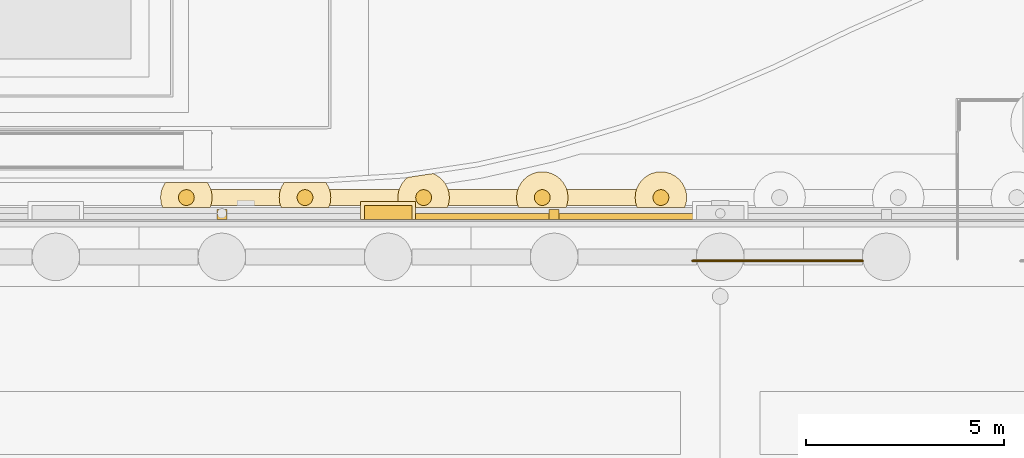
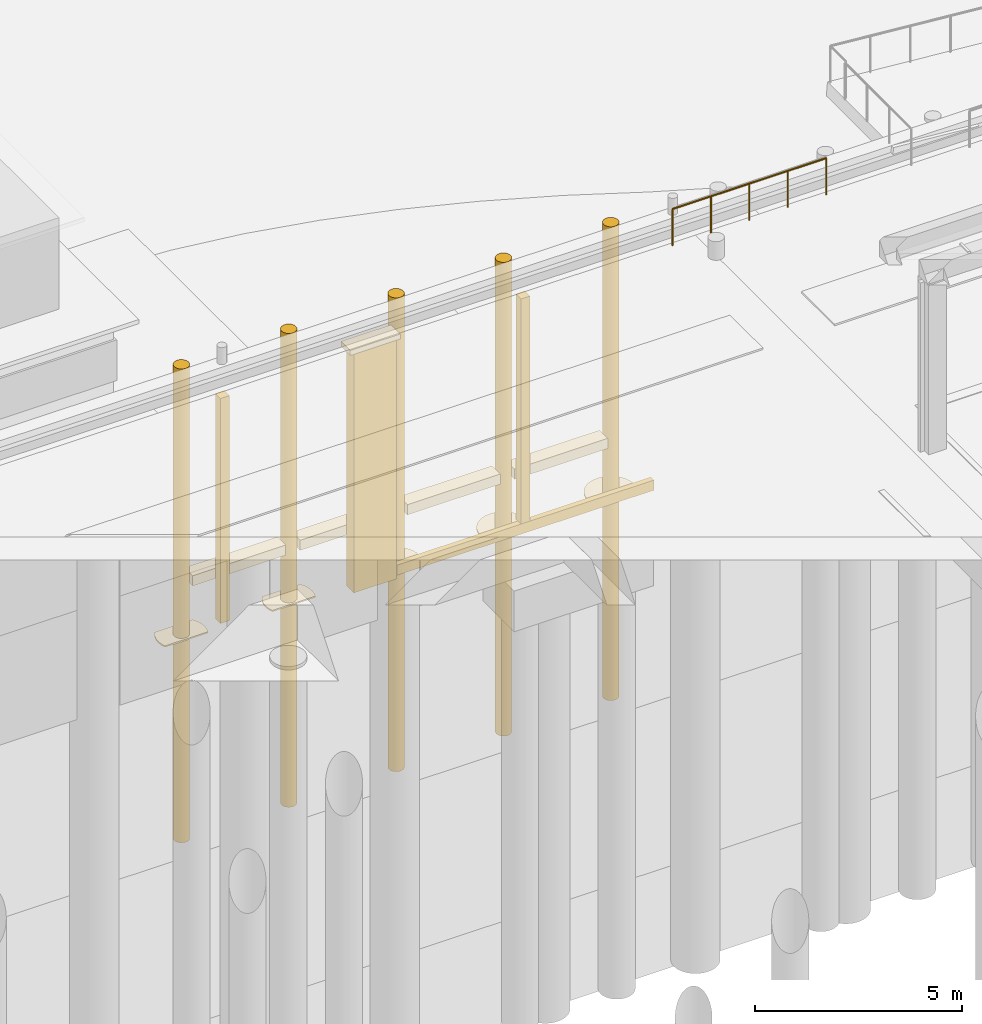
# One storey, part 198 of 222: 19 coverings, 1 railing.
"""IFC4 building model written with IfcOpenShell, lengths in metres."""

from ifc_helpers import new_model, si_unit, direction, frame, origin, origin_2d, place, context, subcontext, project, spatial, polyline, circle, outline, extrude, material, layer, layer_set, type_object, element, save


model = new_model("IFC4")

# Units and contexts
model_context = context("Model", 3, precision=1e-05, world=origin(), true_north=direction((0.0, 1.0)))
body_context = subcontext(model_context, "Body", "Model", "MODEL_VIEW")
ifc_project = project(units=[si_unit("LENGTHUNIT", "METRE"), si_unit("AREAUNIT", "SQUARE_METRE"), si_unit("VOLUMEUNIT", "CUBIC_METRE"), si_unit("PLANEANGLEUNIT", "RADIAN"), si_unit("MASSUNIT", "GRAM", prefix="KILO")], contexts=[model_context])

# Site, building, storey
site_placement = place(None, origin())
site = spatial("IfcSite", under=ifc_project, at=site_placement, CompositionType="ELEMENT")
building_placement = place(site_placement, origin())
building = spatial("IfcBuilding", under=site, at=building_placement, Name="Sava Quay Ferry Terminal", CompositionType="ELEMENT")
storey_placement = place(building_placement, origin())
storey = spatial("IfcBuildingStorey", under=building, at=storey_placement, Name="L00", CompositionType="ELEMENT", Elevation=0.0)

# Railing
ifc_material_1 = material(Name="Steel S355", Category="steel")
railing_type = type_object("IfcRailingType", Name="Edge guard 1100", PredefinedType="GUARDRAIL", material=ifc_material_1)
railing_placement = place(storey_placement, frame((125.300048828125, 117.5, 0.0)))
element("IfcRailing", 1, at=railing_placement, inside=storey, type_object=railing_type, Name="Quay edge guard", PredefinedType="GUARDRAIL", context=body_context, shape_type="SweptSolid", body=[
    extrude(circle(Radius=0.02392578125, at=origin_2d()), frame((0.0, 0.0, 1.076171875), z_axis=(1.0, 0.0, 0.0), x_axis=(0.0, 1.0, 0.0)), (0.0, 0.0, 1.0), 4.300048828125),
    extrude(circle(Radius=0.02099609375, at=origin_2d()), origin(), (0.0, 0.0, 1.0), 1.052001953125),
    extrude(circle(Radius=0.02099609375, at=origin_2d()), frame((1.074951171875, 0.0, 0.0)), (0.0, 0.0, 1.0), 1.052001953125),
    extrude(circle(Radius=0.02099609375, at=origin_2d()), frame((2.14990234375, 0.0, 0.0)), (0.0, 0.0, 1.0), 1.052001953125),
    extrude(circle(Radius=0.02099609375, at=origin_2d()), frame((3.22509765625, 0.0, 0.0)), (0.0, 0.0, 1.0), 1.052001953125),
    extrude(circle(Radius=0.02099609375, at=origin_2d()), frame((4.300048828125, 0.0, 0.0)), (0.0, 0.0, 1.0), 1.052001953125),
])

# Coverings
ifc_material_2 = material(Name="Greenheart timber", Category="wood")
ifc_layer_1 = layer(ifc_material_2, 0.25)
ifc_layer_set_1 = layer_set([ifc_layer_1], Name="Greenheart timber")
covering_type_1 = type_object("IfcCoveringType", Name="Fender post 250", PredefinedType="CLADDING", material=ifc_layer_set_1)
covering_1_placement = place(storey_placement, frame((0.0, 0.0, -7.60009765625)))
element("IfcCovering", 2, at=covering_1_placement, inside=storey, type_object=covering_type_1, Name="Fender post", PredefinedType="CLADDING", context=body_context, shape_type="SweptSolid", body=[
    extrude(outline(polyline([(113.52490234375, 118.550048828125), (113.52490234375, 118.800048828125), (113.27490234375, 118.800048828125), (113.27490234375, 118.550048828125), (113.52490234375, 118.550048828125)])), origin(), (0.0, 0.0, 1.0), 6.650146484375),
])
covering_2_placement = place(storey_placement, frame((0.0, 0.0, -7.60009765625)))
element("IfcCovering", 3, at=covering_2_placement, inside=storey, type_object=covering_type_1, Name="Fender post", PredefinedType="CLADDING", context=body_context, shape_type="SweptSolid", body=[
    extrude(outline(polyline([(121.925048828125, 118.550048828125), (121.925048828125, 118.800048828125), (121.675048828125, 118.800048828125), (121.675048828125, 118.550048828125), (121.925048828125, 118.550048828125)])), origin(), (0.0, 0.0, 1.0), 6.650146484375),
])
ifc_material_3 = material(Name="Greenheart timber", Category="wood")
ifc_layer_2 = layer(ifc_material_3, 0.14990234375)
ifc_layer_set_2 = layer_set([ifc_layer_2], Name="Greenheart timber")
covering_type_2 = type_object("IfcCoveringType", Name="Fender rubbing strip 150", PredefinedType="CLADDING", material=ifc_layer_set_2)
covering_3_placement = place(storey_placement, frame((0.0, 0.0, -7.89990234375)))
element("IfcCovering", 4, at=covering_3_placement, inside=storey, type_object=covering_type_2, Name="Fender rubbing strip", PredefinedType="CLADDING", context=body_context, shape_type="SweptSolid", body=[
    extrude(outline(polyline([(118.2099609375, 118.550048828125), (125.389892578125, 118.550048828125), (125.389892578125, 118.699951171875), (118.2099609375, 118.699951171875), (118.2099609375, 118.550048828125)])), origin(), (0.0, 0.0, 1.0), 0.2998046875),
])
ifc_material_4 = material(Name="Timber", Category="wood")
ifc_layer_3 = layer(ifc_material_4, 0.39990234375)
ifc_layer_set_3 = layer_set([ifc_layer_3], Name="Timber")
covering_type_3 = type_object("IfcCoveringType", Name="Quay fender pile 400", PredefinedType="CLADDING", material=ifc_layer_set_3)
for number, where, z_axis, x_axis, name in (
    (5, (112.5, 119.10009765625, 0.0), (0.0, 0.0, -1.0), (1.0, 0.0, 0.0), "Quay fender pile"),
    (6, (115.5, 119.10009765625, 0.0), (0.0, 0.0, -1.0), (1.0, 0.0, 0.0), "Quay fender pile"),
    (7, (118.5, 119.10009765625, 0.0), (0.0, 0.0, -1.0), (1.0, 0.0, 0.0), "Quay fender pile"),
    (8, (121.5, 119.10009765625, 0.0), (0.0, 0.0, -1.0), (1.0, 0.0, 0.0), "Quay fender pile"),
    (9, (124.5, 119.10009765625, 0.0), (0.0, 0.0, -1.0), (1.0, 0.0, 0.0), "Quay fender pile"),
):
    element("IfcCovering", number, at=place(storey_placement, frame(where, z_axis=z_axis, x_axis=x_axis)), inside=storey, type_object=covering_type_3, Name=name, PredefinedType="CLADDING", context=body_context, shape_type="SweptSolid", body=[
        extrude(circle(Radius=0.199951171875, at=origin_2d()), origin(), (0.0, 0.0, 1.0), 14.0),
    ])
ifc_material_5 = material(Name="Timber", Category="wood")
ifc_layer_4 = layer(ifc_material_5, 0.39990234375)
ifc_layer_set_4 = layer_set([ifc_layer_4], Name="Timber")
covering_type_4 = type_object("IfcCoveringType", Name="Quay fender waling", PredefinedType="MOLDING", material=ifc_layer_set_4)
covering_4_placement = place(storey_placement, frame((0.0, 0.0, -6.5)))
element("IfcCovering", 10, at=covering_4_placement, inside=storey, type_object=covering_type_4, Name="Quay fender waling", PredefinedType="MOLDING", context=body_context, shape_type="SweptSolid", body=[
    extrude(outline(polyline([(115.300048828125, 118.89990234375), (115.300048828125, 119.300048828125), (112.699951171875, 119.300048828125), (112.699951171875, 118.89990234375), (115.300048828125, 118.89990234375)])), origin(), (0.0, 0.0, 1.0), 0.300048828125),
])
covering_5_placement = place(storey_placement, frame((0.0, 0.0, -6.5)))
element("IfcCovering", 11, at=covering_5_placement, inside=storey, type_object=covering_type_4, Name="Quay fender waling", PredefinedType="MOLDING", context=body_context, shape_type="SweptSolid", body=[
    extrude(outline(polyline([(118.300048828125, 118.89990234375), (118.300048828125, 119.300048828125), (115.699951171875, 119.300048828125), (115.699951171875, 118.89990234375), (118.300048828125, 118.89990234375)])), origin(), (0.0, 0.0, 1.0), 0.300048828125),
])
covering_6_placement = place(storey_placement, frame((0.0, 0.0, -6.5)))
element("IfcCovering", 12, at=covering_6_placement, inside=storey, type_object=covering_type_4, Name="Quay fender waling", PredefinedType="MOLDING", context=body_context, shape_type="SweptSolid", body=[
    extrude(outline(polyline([(121.300048828125, 118.89990234375), (121.300048828125, 119.300048828125), (118.699951171875, 119.300048828125), (118.699951171875, 118.89990234375), (121.300048828125, 118.89990234375)])), origin(), (0.0, 0.0, 1.0), 0.300048828125),
])
covering_7_placement = place(storey_placement, frame((0.0, 0.0, -6.5)))
element("IfcCovering", 13, at=covering_7_placement, inside=storey, type_object=covering_type_4, Name="Quay fender waling", PredefinedType="MOLDING", context=body_context, shape_type="SweptSolid", body=[
    extrude(outline(polyline([(124.300048828125, 118.89990234375), (124.300048828125, 119.300048828125), (121.699951171875, 119.300048828125), (121.699951171875, 118.89990234375), (124.300048828125, 118.89990234375)])), origin(), (0.0, 0.0, 1.0), 0.300048828125),
])
ifc_material_6 = material(Name="Limestone Mutalj", Category="masonry")
ifc_layer_5 = layer(ifc_material_6, 0.449951171875)
ifc_layer_set_5 = layer_set([ifc_layer_5], Name="Limestone Mutalj")
covering_type_5 = type_object("IfcCoveringType", Name="Quay pilaster cap 1400", PredefinedType="MOLDING", material=ifc_layer_set_5)
covering_8_placement = place(storey_placement, frame((0.0, 0.0, -0.949951171875)))
element("IfcCovering", 14, at=covering_8_placement, inside=storey, type_object=covering_type_5, Name="Quay pilaster cap", PredefinedType="MOLDING", context=body_context, shape_type="SweptSolid", body=[
    extrude(outline(polyline([(118.300048828125, 118.550048828125), (118.300048828125, 119.0), (116.89990234375, 119.0), (116.89990234375, 118.550048828125), (118.300048828125, 118.550048828125)])), origin(), (0.0, 0.0, 1.0), 0.14990234375),
])
ifc_material_7 = material(Name="Limestone Mutalj", Category="masonry")
ifc_layer_6 = layer(ifc_material_7, 0.35009765625)
ifc_layer_set_6 = layer_set([ifc_layer_6], Name="Limestone Mutalj")
covering_type_6 = type_object("IfcCoveringType", Name="Quay wall pilaster 1200", PredefinedType="CLADDING", material=ifc_layer_set_6)
covering_9_placement = place(storey_placement, frame((0.0, 0.0, -8.0)))
element("IfcCovering", 15, at=covering_9_placement, inside=storey, type_object=covering_type_6, Name="Quay wall pilaster", PredefinedType="CLADDING", context=body_context, shape_type="SweptSolid", body=[
    extrude(outline(polyline([(118.199951171875, 118.550048828125), (118.199951171875, 118.89990234375), (117.0, 118.89990234375), (117.0, 118.550048828125), (118.199951171875, 118.550048828125)])), origin(), (0.0, 0.0, 1.0), 7.050048828125),
])
ifc_material_8 = material(Name="Water")
ifc_layer_7 = layer(ifc_material_8, 0.0400390625)
ifc_layer_set_7 = layer_set([ifc_layer_7], Name="Water")
covering_type_7 = type_object("IfcCoveringType", Name="River foam collar", PredefinedType="CLADDING", material=ifc_layer_set_7)
covering_10_placement = place(storey_placement, frame((0.0, 0.0, -8.0)))
element("IfcCovering", 16, at=covering_10_placement, inside=storey, type_object=covering_type_7, Name="River foam collar", PredefinedType="CLADDING", context=body_context, shape_type="SweptSolid", body=[
    extrude(outline(polyline([(113.10302734375, 119.35009765625), (113.0419921875, 119.4619140625), (113.028076171875, 119.47998046875), (111.971923828125, 119.47998046875), (111.9580078125, 119.4619140625), (111.89697265625, 119.35009765625), (111.860107421875, 119.22705078125), (111.847900390625, 119.10009765625), (111.860107421875, 118.972900390625), (111.89697265625, 118.85009765625), (113.10205078125, 118.85009765625), (113.139892578125, 118.972900390625), (113.152099609375, 119.10009765625), (113.139892578125, 119.22705078125), (113.10302734375, 119.35009765625)]), holes=[polyline([(112.68505859375, 119.02294921875), (112.666015625, 118.989013671875), (112.64111328125, 118.958984375), (112.611083984375, 118.93408203125), (112.576904296875, 118.9150390625), (112.5390625, 118.904052734375), (112.5, 118.89990234375), (112.4609375, 118.904052734375), (112.423095703125, 118.9150390625), (112.388916015625, 118.93408203125), (112.35888671875, 118.958984375), (112.333984375, 118.989013671875), (112.31494140625, 119.02294921875), (112.303955078125, 119.06103515625), (112.300048828125, 119.10009765625), (112.303955078125, 119.138916015625), (112.31494140625, 119.177001953125), (112.333984375, 119.2109375), (112.35888671875, 119.240966796875), (112.388916015625, 119.26611328125), (112.423095703125, 119.284912109375), (112.4609375, 119.2958984375), (112.5, 119.300048828125), (112.5390625, 119.2958984375), (112.576904296875, 119.284912109375), (112.611083984375, 119.26611328125), (112.64111328125, 119.240966796875), (112.666015625, 119.2109375), (112.68505859375, 119.177001953125), (112.696044921875, 119.138916015625), (112.699951171875, 119.10009765625), (112.696044921875, 119.06103515625), (112.68505859375, 119.02294921875)])]), origin(), (0.0, 0.0, 1.0), 0.0400390625),
])
covering_11_placement = place(storey_placement, frame((0.0, 0.0, -8.0)))
element("IfcCovering", 17, at=covering_11_placement, inside=storey, type_object=covering_type_7, Name="River foam collar", PredefinedType="CLADDING", context=body_context, shape_type="SweptSolid", body=[
    extrude(outline(polyline([(116.139892578125, 119.22705078125), (116.10302734375, 119.35009765625), (116.0419921875, 119.4619140625), (116.028076171875, 119.47998046875), (114.971923828125, 119.47998046875), (114.9580078125, 119.4619140625), (114.89697265625, 119.35009765625), (114.860107421875, 119.22705078125), (114.847900390625, 119.10009765625), (114.860107421875, 118.972900390625), (114.89794921875, 118.85009765625), (116.10205078125, 118.85009765625), (116.139892578125, 118.972900390625), (116.152099609375, 119.10009765625), (116.139892578125, 119.22705078125)]), holes=[polyline([(115.696044921875, 119.06103515625), (115.68505859375, 119.02294921875), (115.666015625, 118.989013671875), (115.64111328125, 118.958984375), (115.611083984375, 118.93408203125), (115.576904296875, 118.9150390625), (115.5390625, 118.904052734375), (115.5, 118.89990234375), (115.4609375, 118.904052734375), (115.423095703125, 118.9150390625), (115.388916015625, 118.93408203125), (115.35888671875, 118.958984375), (115.333984375, 118.989013671875), (115.31494140625, 119.02294921875), (115.303955078125, 119.06103515625), (115.300048828125, 119.10009765625), (115.303955078125, 119.138916015625), (115.31494140625, 119.177001953125), (115.333984375, 119.2109375), (115.35888671875, 119.240966796875), (115.388916015625, 119.26611328125), (115.423095703125, 119.284912109375), (115.4609375, 119.2958984375), (115.5, 119.300048828125), (115.5390625, 119.2958984375), (115.576904296875, 119.284912109375), (115.611083984375, 119.26611328125), (115.64111328125, 119.240966796875), (115.666015625, 119.2109375), (115.68505859375, 119.177001953125), (115.696044921875, 119.138916015625), (115.699951171875, 119.10009765625), (115.696044921875, 119.06103515625)])]), origin(), (0.0, 0.0, 1.0), 0.0400390625),
])
covering_12_placement = place(storey_placement, frame((0.0, 0.0, -8.0)))
element("IfcCovering", 18, at=covering_12_placement, inside=storey, type_object=covering_type_7, Name="River foam collar", PredefinedType="CLADDING", context=body_context, shape_type="SweptSolid", body=[
    extrude(outline(polyline([(119.10302734375, 118.85009765625), (119.139892578125, 118.972900390625), (119.152099609375, 119.10009765625), (119.139892578125, 119.22705078125), (119.10302734375, 119.35009765625), (119.0419921875, 119.4619140625), (118.9609375, 119.56103515625), (118.862060546875, 119.64208984375), (118.75, 119.702880859375), (118.736083984375, 119.70703125), (118.09912109375, 119.611083984375), (118.0390625, 119.56103515625), (117.9580078125, 119.4619140625), (117.89697265625, 119.35009765625), (117.860107421875, 119.22705078125), (117.847900390625, 119.10009765625), (117.860107421875, 118.972900390625), (117.882080078125, 118.89990234375), (118.199951171875, 118.89990234375), (118.199951171875, 118.85009765625), (119.10302734375, 118.85009765625)]), holes=[polyline([(118.699951171875, 119.10009765625), (118.696044921875, 119.06103515625), (118.68505859375, 119.02294921875), (118.666015625, 118.989013671875), (118.64111328125, 118.958984375), (118.611083984375, 118.93408203125), (118.576904296875, 118.9150390625), (118.5390625, 118.904052734375), (118.5, 118.89990234375), (118.4609375, 118.904052734375), (118.423095703125, 118.9150390625), (118.388916015625, 118.93408203125), (118.35888671875, 118.958984375), (118.333984375, 118.989013671875), (118.31494140625, 119.02294921875), (118.303955078125, 119.06103515625), (118.300048828125, 119.10009765625), (118.303955078125, 119.138916015625), (118.31494140625, 119.177001953125), (118.333984375, 119.2109375), (118.35888671875, 119.240966796875), (118.388916015625, 119.26611328125), (118.423095703125, 119.284912109375), (118.4609375, 119.2958984375), (118.5, 119.300048828125), (118.5390625, 119.2958984375), (118.576904296875, 119.284912109375), (118.611083984375, 119.26611328125), (118.64111328125, 119.240966796875), (118.666015625, 119.2109375), (118.68505859375, 119.177001953125), (118.696044921875, 119.138916015625), (118.699951171875, 119.10009765625)])]), origin(), (0.0, 0.0, 1.0), 0.0400390625),
])
covering_13_placement = place(storey_placement, frame((0.0, 0.0, -8.0)))
element("IfcCovering", 19, at=covering_13_placement, inside=storey, type_object=covering_type_7, Name="River foam collar", PredefinedType="CLADDING", context=body_context, shape_type="SweptSolid", body=[
    extrude(outline(polyline([(121.373046875, 119.739990234375), (121.25, 119.702880859375), (121.137939453125, 119.64208984375), (121.0390625, 119.56103515625), (120.9580078125, 119.4619140625), (120.89697265625, 119.35009765625), (120.860107421875, 119.22705078125), (120.847900390625, 119.10009765625), (120.860107421875, 118.972900390625), (120.89794921875, 118.85009765625), (122.10205078125, 118.85009765625), (122.139892578125, 118.972900390625), (122.152099609375, 119.10009765625), (122.139892578125, 119.22705078125), (122.10302734375, 119.35009765625), (122.0419921875, 119.4619140625), (121.9609375, 119.56103515625), (121.862060546875, 119.64208984375), (121.75, 119.702880859375), (121.626953125, 119.739990234375), (121.5, 119.751953125), (121.373046875, 119.739990234375)]), holes=[polyline([(121.696044921875, 119.138916015625), (121.699951171875, 119.10009765625), (121.696044921875, 119.06103515625), (121.68505859375, 119.02294921875), (121.666015625, 118.989013671875), (121.64111328125, 118.958984375), (121.611083984375, 118.93408203125), (121.576904296875, 118.9150390625), (121.5390625, 118.904052734375), (121.5, 118.89990234375), (121.4609375, 118.904052734375), (121.423095703125, 118.9150390625), (121.388916015625, 118.93408203125), (121.35888671875, 118.958984375), (121.333984375, 118.989013671875), (121.31494140625, 119.02294921875), (121.303955078125, 119.06103515625), (121.300048828125, 119.10009765625), (121.303955078125, 119.138916015625), (121.31494140625, 119.177001953125), (121.333984375, 119.2109375), (121.35888671875, 119.240966796875), (121.388916015625, 119.26611328125), (121.423095703125, 119.284912109375), (121.4609375, 119.2958984375), (121.5, 119.300048828125), (121.5390625, 119.2958984375), (121.576904296875, 119.284912109375), (121.611083984375, 119.26611328125), (121.64111328125, 119.240966796875), (121.666015625, 119.2109375), (121.68505859375, 119.177001953125), (121.696044921875, 119.138916015625)])]), origin(), (0.0, 0.0, 1.0), 0.0400390625),
])
covering_14_placement = place(storey_placement, frame((0.0, 0.0, -8.0)))
element("IfcCovering", 20, at=covering_14_placement, inside=storey, type_object=covering_type_7, Name="River foam collar", PredefinedType="CLADDING", context=body_context, shape_type="SweptSolid", body=[
    extrude(outline(polyline([(124.5, 119.751953125), (124.373046875, 119.739990234375), (124.25, 119.702880859375), (124.137939453125, 119.64208984375), (124.0390625, 119.56103515625), (123.9580078125, 119.4619140625), (123.89697265625, 119.35009765625), (123.860107421875, 119.22705078125), (123.847900390625, 119.10009765625), (123.860107421875, 118.972900390625), (123.89794921875, 118.85009765625), (125.10205078125, 118.85009765625), (125.139892578125, 118.972900390625), (125.152099609375, 119.10009765625), (125.139892578125, 119.22705078125), (125.10302734375, 119.35009765625), (125.0419921875, 119.4619140625), (124.9609375, 119.56103515625), (124.862060546875, 119.64208984375), (124.75, 119.702880859375), (124.626953125, 119.739990234375), (124.5, 119.751953125)]), holes=[polyline([(124.68505859375, 119.177001953125), (124.696044921875, 119.138916015625), (124.699951171875, 119.10009765625), (124.696044921875, 119.06103515625), (124.68505859375, 119.02294921875), (124.666015625, 118.989013671875), (124.64111328125, 118.958984375), (124.611083984375, 118.93408203125), (124.576904296875, 118.9150390625), (124.5390625, 118.904052734375), (124.5, 118.89990234375), (124.4609375, 118.904052734375), (124.423095703125, 118.9150390625), (124.388916015625, 118.93408203125), (124.35888671875, 118.958984375), (124.333984375, 118.989013671875), (124.31494140625, 119.02294921875), (124.303955078125, 119.06103515625), (124.300048828125, 119.10009765625), (124.303955078125, 119.138916015625), (124.31494140625, 119.177001953125), (124.333984375, 119.2109375), (124.35888671875, 119.240966796875), (124.388916015625, 119.26611328125), (124.423095703125, 119.284912109375), (124.4609375, 119.2958984375), (124.5, 119.300048828125), (124.5390625, 119.2958984375), (124.576904296875, 119.284912109375), (124.611083984375, 119.26611328125), (124.64111328125, 119.240966796875), (124.666015625, 119.2109375), (124.68505859375, 119.177001953125)])]), origin(), (0.0, 0.0, 1.0), 0.0400390625),
])

save(model, "model.ifc")
